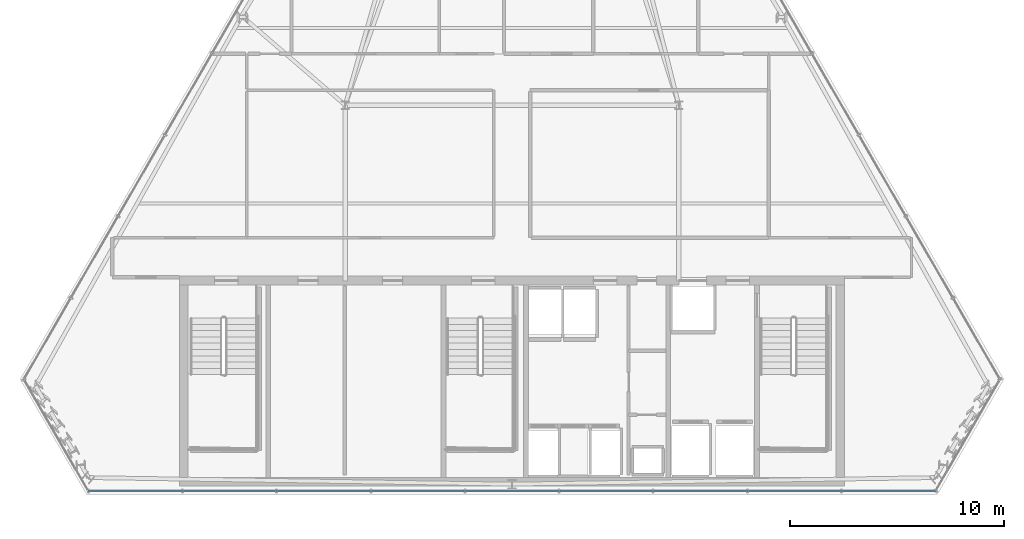
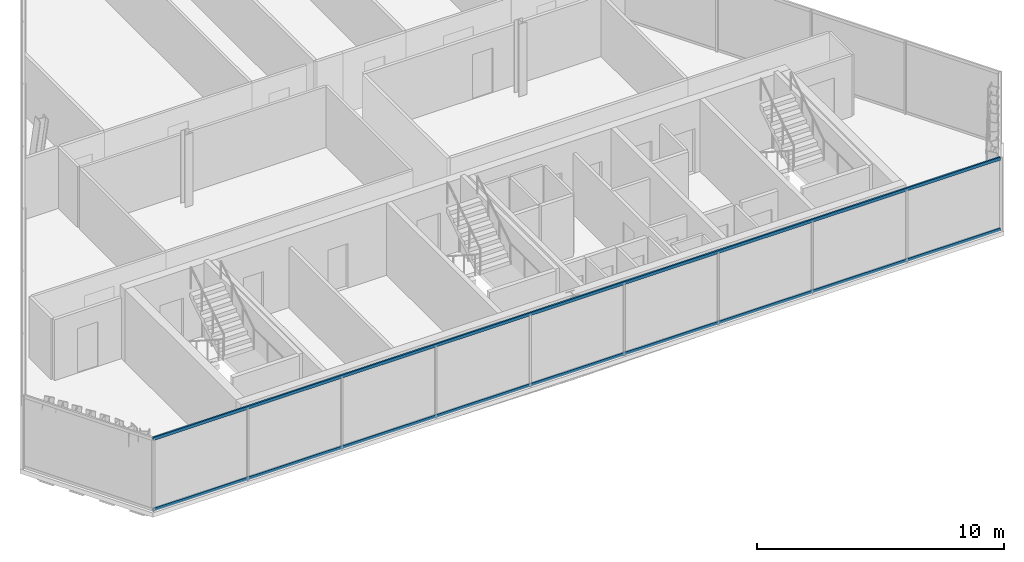
# One storey, part 8 of 32: 2 members, 1 element without a shape of its own.
"""IFC4 building model written with IfcOpenShell, lengths in metres."""

from ifc_helpers import new_model, si_unit, direction, frame, origin, origin_2d, place, context, subcontext, project, spatial, hollow_rectangle, extrude, material, layer, layer_set, material_profile, profile_set, type_object, element, aggregate, save


model = new_model("IFC4")

# Units and contexts
model_context = context("Model", 3, precision=1e-05, world=origin(), true_north=direction((0.0, 1.0)))
body_context = subcontext(model_context, "Body", "Model", "MODEL_VIEW")
ifc_project = project(units=[si_unit("LENGTHUNIT", "METRE"), si_unit("AREAUNIT", "SQUARE_METRE"), si_unit("VOLUMEUNIT", "CUBIC_METRE"), si_unit("PLANEANGLEUNIT", "RADIAN"), si_unit("MASSUNIT", "GRAM", prefix="KILO")], contexts=[model_context])

# Site, building, storey
site_placement = place(None, origin())
site = spatial("IfcSite", under=ifc_project, at=site_placement, CompositionType="ELEMENT")
building_placement = place(site_placement, origin())
building = spatial("IfcBuilding", under=site, at=building_placement, Name="Ndaravel Arena Tower", CompositionType="ELEMENT")
storey_placement = place(building_placement, frame((0.0, 0.0, 259.800048828125)))
storey = spatial("IfcBuildingStorey", under=building, at=storey_placement, Name="L63", CompositionType="ELEMENT", Elevation=259.800048828125)

# Curtain wall, members
ifc_material_1 = material(Name="Aluminium", Category="aluminium")
ifc_layer = layer(ifc_material_1, 0.179931640625)
ifc_layer_set = layer_set([ifc_layer], Name="Aluminium")
curtain_wall_type = type_object("IfcCurtainWallType", Name="CW-SYS-03", PredefinedType="NOTDEFINED", material=ifc_layer_set)
curtain_wall_placement = place(storey_placement, origin())
curtain_wall = element("IfcCurtainWall", 1, at=curtain_wall_placement, inside=storey, type_object=curtain_wall_type, Name="L63 Faceted Crystal Curtain Wall CW-L63-E01", PredefinedType="NOTDEFINED")
ifc_material_2 = material(Name="Aluminium", Category="aluminium")
ifc_material_profile = material_profile(ifc_material_2, hollow_rectangle(XDim=0.074951171875, YDim=0.14990234375, WallThickness=0.00390625, at=origin_2d()), Name="CW TRANSOM 75x150x4")
ifc_profile_set = profile_set([ifc_material_profile], Name="Aluminium")
member_type = type_object("IfcMemberType", Name="MEM-CW-TRN150", PredefinedType="USERDEFINED", material=ifc_profile_set)
member_1_placement = place(storey_placement, frame((22.197021484375, 5.159912109375, 0.0400390625), z_axis=(1.0, 0.0, 0.0), x_axis=(0.0, 1.0, 0.0)))
member_1 = element("IfcMember", 2, at=member_1_placement, type_object=member_type, Name="CW-L63-E01 Transom 01", ObjectType="TRANSOM", PredefinedType="USERDEFINED", context=body_context, shape_type="SweptSolid", body=[
    extrude(hollow_rectangle(XDim=0.074951171875, YDim=0.14990234375, WallThickness=0.00390625, at=origin_2d()), origin(), (0.0, 0.0, 1.0), 39.60595703125),
])
member_2_placement = place(storey_placement, frame((22.197021484375, 5.159912109375, 3.5400390625), z_axis=(1.0, 0.0, 0.0), x_axis=(0.0, 1.0, 0.0)))
member_2 = element("IfcMember", 3, at=member_2_placement, type_object=member_type, Name="CW-L63-E01 Transom 02", ObjectType="TRANSOM", PredefinedType="USERDEFINED", context=body_context, shape_type="SweptSolid", body=[
    extrude(hollow_rectangle(XDim=0.074951171875, YDim=0.14990234375, WallThickness=0.00390625, at=origin_2d()), origin(), (0.0, 0.0, 1.0), 39.60595703125),
])
aggregate(curtain_wall, [member_1, member_2])

save(model, "model.ifc")
